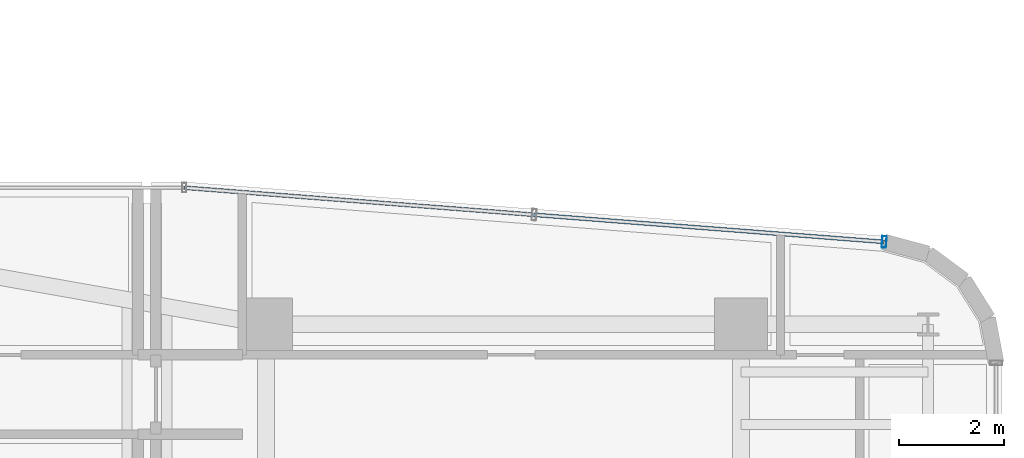
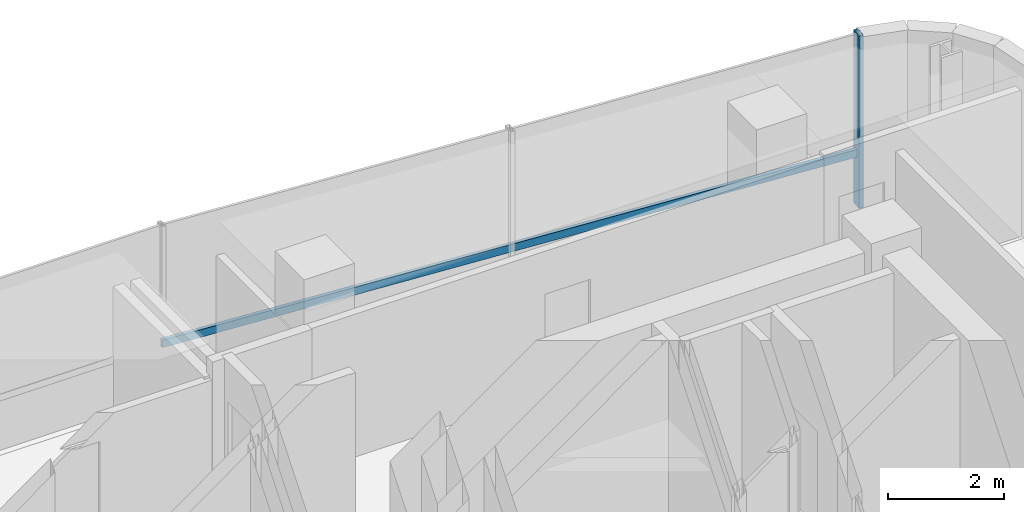
# One storey, part 23 of 38: 2 members, 1 element without a shape of its own.
"""IFC4 building model written with IfcOpenShell, lengths in metres."""

from ifc_helpers import new_model, si_unit, direction, frame, origin, origin_2d, place, context, subcontext, project, spatial, hollow_rectangle, extrude, source, transform, mapped, material, material_profile, profile_set, type_object, element, aggregate, save


model = new_model("IFC4")

# Units and contexts
model_context = context("Model", 3, precision=1e-05, world=origin(), true_north=direction((0.0, 1.0)))
body_context = subcontext(model_context, "Body", "Model", "MODEL_VIEW")
ifc_project = project(units=[si_unit("LENGTHUNIT", "METRE"), si_unit("AREAUNIT", "SQUARE_METRE"), si_unit("VOLUMEUNIT", "CUBIC_METRE"), si_unit("PLANEANGLEUNIT", "RADIAN"), si_unit("MASSUNIT", "GRAM", prefix="KILO")], contexts=[model_context])

# Site, building, storey
site_placement = place(None, origin())
site = spatial("IfcSite", under=ifc_project, at=site_placement, CompositionType="ELEMENT")
building_placement = place(site_placement, origin())
building = spatial("IfcBuilding", under=site, at=building_placement, Name="Valdorenza Pilgrim Sanctuary Tower", CompositionType="ELEMENT")
storey_placement = place(building_placement, frame((0.0, 0.0, 180.5)))
storey = spatial("IfcBuildingStorey", under=building, at=storey_placement, Name="L46", CompositionType="ELEMENT", Elevation=180.5)

# Curtain wall, members
ifc_material_1 = material(Name="Curtain-wall IGU glazing", Category="glass")
curtain_wall_type = type_object("IfcCurtainWallType", Name="CW-SYS-03", PredefinedType="NOTDEFINED", material=ifc_material_1)
curtain_wall_placement = place(storey_placement, origin())
curtain_wall = element("IfcCurtainWall", 1, at=curtain_wall_placement, inside=storey, type_object=curtain_wall_type, Name="L46 Curtain Wall CW-L46-1-32", PredefinedType="NOTDEFINED")
ifc_material_2 = material(Name="Anodised aluminium AW-6060", Category="aluminium")
ifc_material_profile_1 = material_profile(ifc_material_2, hollow_rectangle(XDim=0.074951171875, YDim=0.159912109375, WallThickness=0.00390625, at=origin_2d()), Name="ALU-T 160x75x4")
ifc_profile_set_1 = profile_set([ifc_material_profile_1], Name="Anodised aluminium AW-6060")
member_type_1 = type_object("IfcMemberType", Name="CW-TRN-03", PredefinedType="USERDEFINED", material=ifc_profile_set_1)
shared_shape_1 = source(origin(), body_context, "Body", "SweptSolid", [
    extrude(hollow_rectangle(XDim=0.074951171875, YDim=0.159912109375, WallThickness=0.00390625, at=origin_2d()), origin(), (0.0, 0.0, 1.0), 13.310546875),
])
member_1_placement = place(storey_placement, frame((14.295654296875, 16.090087890625, 1.1201171875), z_axis=(0.997015515781, -0.077201433227, 0.0), x_axis=(0.077201433227, 0.997015515781, 0.0)))
member_1 = element("IfcMember", 2, at=member_1_placement, type_object=member_type_1, Name="CW-L46-1-32 Transom 1", ObjectType="TRANSOM", PredefinedType="USERDEFINED", context=body_context, shape_type="MappedRepresentation", body=[
    mapped(shared_shape_1, transform((0.0, 0.0, 0.0), x_axis=(1.0, 0.0, 0.0), y_axis=(0.0, 1.0, 0.0), z_axis=(0.0, 0.0, 1.0), scale=1.0)),
])
ifc_material_profile_2 = material_profile(ifc_material_2, hollow_rectangle(XDim=0.0849609375, YDim=0.219970703125, WallThickness=0.0048828125, at=origin_2d()), Name="ALU-M 220x85x5")
ifc_profile_set_2 = profile_set([ifc_material_profile_2], Name="Anodised aluminium AW-6060")
member_type_2 = type_object("IfcMemberType", Name="CW-MUL-03", PredefinedType="MULLION", material=ifc_profile_set_2)
shared_shape_2 = source(origin(), body_context, "Body", "SweptSolid", [
    extrude(hollow_rectangle(XDim=0.0849609375, YDim=0.219970703125, WallThickness=0.0048828125, at=origin_2d()), origin(), (0.0, 0.0, 1.0), 3.6298828125),
])
member_2_placement = place(storey_placement, frame((27.56640625, 15.0625, 0.0), z_axis=(0.0, 0.0, 1.0), x_axis=(0.997016488532, -0.077188869631, 0.0)))
member_2 = element("IfcMember", 3, at=member_2_placement, type_object=member_type_2, Name="CW-L46-1-32 Mullion 3", PredefinedType="MULLION", context=body_context, shape_type="MappedRepresentation", body=[
    mapped(shared_shape_2, transform((0.0, 0.0, 0.0), x_axis=(1.0, 0.0, 0.0), y_axis=(0.0, 1.0, 0.0), z_axis=(0.0, 0.0, 1.0), scale=1.0)),
])
aggregate(curtain_wall, [member_2, member_1])

save(model, "model.ifc")
